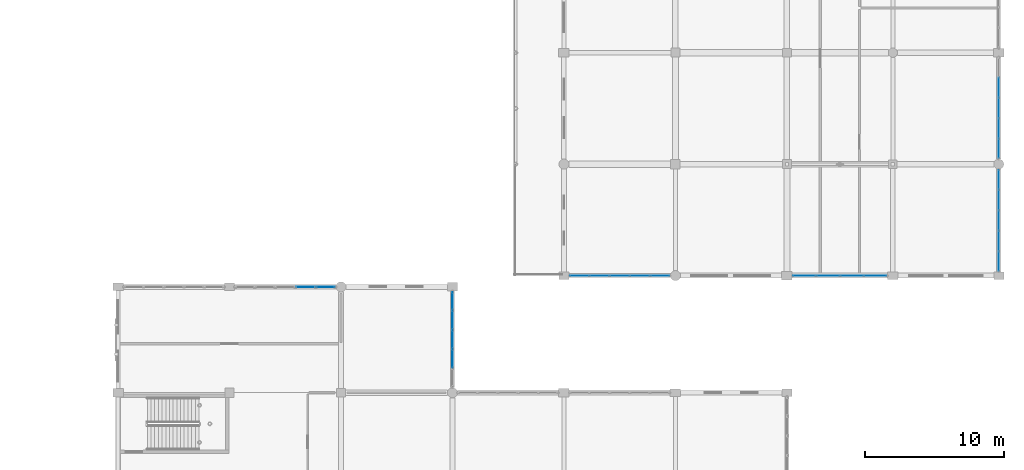
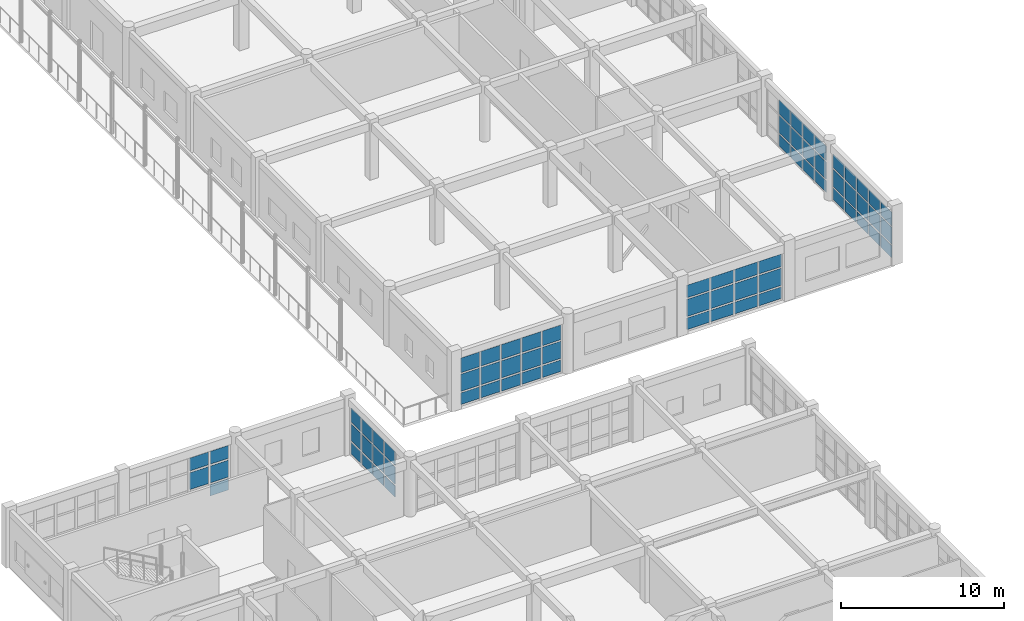
# One storey, part 118 of 160: 71 plates, 6 elements without a shape of their own.
"""IFC4 building model written with IfcOpenShell, lengths in metres."""

from ifc_helpers import new_model, si_unit, direction, frame, origin, origin_2d, place, context, subcontext, project, spatial, rectangle, extrude, material, layer, layer_set, type_object, element, aggregate, save


model = new_model("IFC4")

# Units and contexts
model_context = context("Model", 3, precision=1e-05, world=origin(), true_north=direction((0.0, 1.0)))
body_context = subcontext(model_context, "Body", "Model", "MODEL_VIEW")
ifc_project = project(units=[si_unit("LENGTHUNIT", "METRE"), si_unit("AREAUNIT", "SQUARE_METRE"), si_unit("VOLUMEUNIT", "CUBIC_METRE"), si_unit("PLANEANGLEUNIT", "RADIAN"), si_unit("MASSUNIT", "GRAM", prefix="KILO")], contexts=[model_context])

# Site, building, storey
site_placement = place(None, origin())
site = spatial("IfcSite", under=ifc_project, at=site_placement, CompositionType="ELEMENT")
building_placement = place(site_placement, origin())
building = spatial("IfcBuilding", under=site, at=building_placement, Name="Kharva Crest Polytechnic", CompositionType="ELEMENT")
storey_placement = place(building_placement, frame((0.0, 0.0, 4.5)))
storey = spatial("IfcBuildingStorey", under=building, at=storey_placement, Name="L01", CompositionType="ELEMENT", Elevation=4.5)

# Curtain wall, plates
ifc_material = material(Name="Tempered insulated glass", Category="glass")
curtain_wall_type_1 = type_object("IfcCurtainWallType", Name="CW-SYS-COURT", PredefinedType="USERDEFINED", material=ifc_material)
curtain_wall_1_placement = place(storey_placement, origin())
curtain_wall_1 = element("IfcCurtainWall", 1, at=curtain_wall_1_placement, inside=storey, type_object=curtain_wall_type_1, Name="L01 Glazed Curtain Wall CW-056", ObjectType="CURTAIN WALL", PredefinedType="USERDEFINED")
ifc_layer_1 = layer(ifc_material, 0.02392578125, Name="Tempered insulated glass")
ifc_layer_set_1 = layer_set([ifc_layer_1], Name="Tempered insulated glass")
plate_type_1 = type_object("IfcPlateType", Name="CWP-GLZ-24", PredefinedType="CURTAIN_PANEL", material=ifc_layer_set_1)
plate_1_placement = place(storey_placement, frame((153.912109375, 38.800048828125, 0.119873046875), z_axis=(0.0, 0.0, 1.0), x_axis=(1.0, 0.0, 0.0)))
plate_1 = element("IfcPlate", 2, at=plate_1_placement, type_object=plate_type_1, Name="CW-056 panel 1.1", PredefinedType="CURTAIN_PANEL", context=body_context, shape_type="SweptSolid", body=[
    extrude(rectangle(XDim=1.333984375, YDim=0.02392578125, at=origin_2d()), origin(), (0.0, 0.0, 1.0), 0.8701171875),
])
plate_2_placement = place(storey_placement, frame((153.912109375, 38.800048828125, 1.10986328125), z_axis=(0.0, 0.0, 1.0), x_axis=(1.0, 0.0, 0.0)))
plate_2 = element("IfcPlate", 3, at=plate_2_placement, type_object=plate_type_1, Name="CW-056 panel 1.2", PredefinedType="CURTAIN_PANEL", context=body_context, shape_type="SweptSolid", body=[
    extrude(rectangle(XDim=1.333984375, YDim=0.02392578125, at=origin_2d()), origin(), (0.0, 0.0, 1.0), 1.280029296875),
])
plate_3_placement = place(storey_placement, frame((153.912109375, 38.800048828125, 2.509765625), z_axis=(0.0, 0.0, 1.0), x_axis=(1.0, 0.0, 0.0)))
plate_3 = element("IfcPlate", 4, at=plate_3_placement, type_object=plate_type_1, Name="CW-056 panel 1.3", PredefinedType="CURTAIN_PANEL", context=body_context, shape_type="SweptSolid", body=[
    extrude(rectangle(XDim=1.333984375, YDim=0.02392578125, at=origin_2d()), origin(), (0.0, 0.0, 1.0), 1.090087890625),
])
plate_4_placement = place(storey_placement, frame((155.345947265625, 38.800048828125, 0.119873046875), z_axis=(0.0, 0.0, 1.0), x_axis=(1.0, 0.0, 0.0)))
plate_4 = element("IfcPlate", 5, at=plate_4_placement, type_object=plate_type_1, Name="CW-056 panel 2.1", PredefinedType="CURTAIN_PANEL", context=body_context, shape_type="SweptSolid", body=[
    extrude(rectangle(XDim=1.3740234375, YDim=0.02392578125, at=origin_2d()), origin(), (0.0, 0.0, 1.0), 0.8701171875),
])
plate_5_placement = place(storey_placement, frame((155.345947265625, 38.800048828125, 1.10986328125), z_axis=(0.0, 0.0, 1.0), x_axis=(1.0, 0.0, 0.0)))
plate_5 = element("IfcPlate", 6, at=plate_5_placement, type_object=plate_type_1, Name="CW-056 panel 2.2", PredefinedType="CURTAIN_PANEL", context=body_context, shape_type="SweptSolid", body=[
    extrude(rectangle(XDim=1.3740234375, YDim=0.02392578125, at=origin_2d()), origin(), (0.0, 0.0, 1.0), 1.280029296875),
])
plate_6_placement = place(storey_placement, frame((155.345947265625, 38.800048828125, 2.509765625), z_axis=(0.0, 0.0, 1.0), x_axis=(1.0, 0.0, 0.0)))
plate_6 = element("IfcPlate", 7, at=plate_6_placement, type_object=plate_type_1, Name="CW-056 panel 2.3", PredefinedType="CURTAIN_PANEL", context=body_context, shape_type="SweptSolid", body=[
    extrude(rectangle(XDim=1.3740234375, YDim=0.02392578125, at=origin_2d()), origin(), (0.0, 0.0, 1.0), 1.090087890625),
])
plate_7_placement = place(storey_placement, frame((156.800048828125, 38.800048828125, 0.119873046875), z_axis=(0.0, 0.0, 1.0), x_axis=(1.0, 0.0, 0.0)))
plate_7 = element("IfcPlate", 8, at=plate_7_placement, type_object=plate_type_1, Name="CW-056 panel 3.1", PredefinedType="CURTAIN_PANEL", context=body_context, shape_type="SweptSolid", body=[
    extrude(rectangle(XDim=1.3740234375, YDim=0.02392578125, at=origin_2d()), origin(), (0.0, 0.0, 1.0), 0.8701171875),
])
plate_8_placement = place(storey_placement, frame((156.800048828125, 38.800048828125, 1.10986328125), z_axis=(0.0, 0.0, 1.0), x_axis=(1.0, 0.0, 0.0)))
plate_8 = element("IfcPlate", 9, at=plate_8_placement, type_object=plate_type_1, Name="CW-056 panel 3.2", PredefinedType="CURTAIN_PANEL", context=body_context, shape_type="SweptSolid", body=[
    extrude(rectangle(XDim=1.3740234375, YDim=0.02392578125, at=origin_2d()), origin(), (0.0, 0.0, 1.0), 1.280029296875),
])
plate_9_placement = place(storey_placement, frame((156.800048828125, 38.800048828125, 2.509765625), z_axis=(0.0, 0.0, 1.0), x_axis=(1.0, 0.0, 0.0)))
plate_9 = element("IfcPlate", 10, at=plate_9_placement, type_object=plate_type_1, Name="CW-056 panel 3.3", PredefinedType="CURTAIN_PANEL", context=body_context, shape_type="SweptSolid", body=[
    extrude(rectangle(XDim=1.3740234375, YDim=0.02392578125, at=origin_2d()), origin(), (0.0, 0.0, 1.0), 1.090087890625),
])
plate_10_placement = place(storey_placement, frame((158.25390625, 38.800048828125, 0.119873046875), z_axis=(0.0, 0.0, 1.0), x_axis=(1.0, 0.0, 0.0)))
plate_10 = element("IfcPlate", 11, at=plate_10_placement, type_object=plate_type_1, Name="CW-056 panel 4.1", PredefinedType="CURTAIN_PANEL", context=body_context, shape_type="SweptSolid", body=[
    extrude(rectangle(XDim=1.3740234375, YDim=0.02392578125, at=origin_2d()), origin(), (0.0, 0.0, 1.0), 0.8701171875),
])
plate_11_placement = place(storey_placement, frame((158.25390625, 38.800048828125, 1.10986328125), z_axis=(0.0, 0.0, 1.0), x_axis=(1.0, 0.0, 0.0)))
plate_11 = element("IfcPlate", 12, at=plate_11_placement, type_object=plate_type_1, Name="CW-056 panel 4.2", PredefinedType="CURTAIN_PANEL", context=body_context, shape_type="SweptSolid", body=[
    extrude(rectangle(XDim=1.3740234375, YDim=0.02392578125, at=origin_2d()), origin(), (0.0, 0.0, 1.0), 1.280029296875),
])
plate_12_placement = place(storey_placement, frame((158.25390625, 38.800048828125, 2.509765625), z_axis=(0.0, 0.0, 1.0), x_axis=(1.0, 0.0, 0.0)))
plate_12 = element("IfcPlate", 13, at=plate_12_placement, type_object=plate_type_1, Name="CW-056 panel 4.3", PredefinedType="CURTAIN_PANEL", context=body_context, shape_type="SweptSolid", body=[
    extrude(rectangle(XDim=1.3740234375, YDim=0.02392578125, at=origin_2d()), origin(), (0.0, 0.0, 1.0), 1.090087890625),
])
plate_13_placement = place(storey_placement, frame((159.68798828125, 38.800048828125, 0.119873046875), z_axis=(0.0, 0.0, 1.0), x_axis=(1.0, 0.0, 0.0)))
plate_13 = element("IfcPlate", 14, at=plate_13_placement, type_object=plate_type_1, Name="CW-056 panel 5.1", PredefinedType="CURTAIN_PANEL", context=body_context, shape_type="SweptSolid", body=[
    extrude(rectangle(XDim=1.333984375, YDim=0.02392578125, at=origin_2d()), origin(), (0.0, 0.0, 1.0), 0.8701171875),
])
plate_14_placement = place(storey_placement, frame((159.68798828125, 38.800048828125, 1.10986328125), z_axis=(0.0, 0.0, 1.0), x_axis=(1.0, 0.0, 0.0)))
plate_14 = element("IfcPlate", 15, at=plate_14_placement, type_object=plate_type_1, Name="CW-056 panel 5.2", PredefinedType="CURTAIN_PANEL", context=body_context, shape_type="SweptSolid", body=[
    extrude(rectangle(XDim=1.333984375, YDim=0.02392578125, at=origin_2d()), origin(), (0.0, 0.0, 1.0), 1.280029296875),
])
plate_15_placement = place(storey_placement, frame((159.68798828125, 38.800048828125, 2.509765625), z_axis=(0.0, 0.0, 1.0), x_axis=(1.0, 0.0, 0.0)))
plate_15 = element("IfcPlate", 16, at=plate_15_placement, type_object=plate_type_1, Name="CW-056 panel 5.3", PredefinedType="CURTAIN_PANEL", context=body_context, shape_type="SweptSolid", body=[
    extrude(rectangle(XDim=1.333984375, YDim=0.02392578125, at=origin_2d()), origin(), (0.0, 0.0, 1.0), 1.090087890625),
])
aggregate(curtain_wall_1, [plate_1, plate_2, plate_3, plate_4, plate_5, plate_6, plate_7, plate_8, plate_9, plate_10, plate_11, plate_12, plate_13, plate_14, plate_15])

curtain_wall_2_placement = place(storey_placement, origin())
curtain_wall_2 = element("IfcCurtainWall", 17, at=curtain_wall_2_placement, inside=storey, type_object=curtain_wall_type_1, Name="L01 Glazed Curtain Wall CW-057", ObjectType="CURTAIN WALL", PredefinedType="USERDEFINED")
plate_16_placement = place(storey_placement, frame((170.054931640625, 38.800048828125, 0.119873046875), z_axis=(0.0, 0.0, 1.0), x_axis=(1.0, 0.0, 0.0)))
plate_16 = element("IfcPlate", 18, at=plate_16_placement, type_object=plate_type_1, Name="CW-057 panel 1.1", PredefinedType="CURTAIN_PANEL", context=body_context, shape_type="SweptSolid", body=[
    extrude(rectangle(XDim=1.590087890625, YDim=0.02392578125, at=origin_2d()), origin(), (0.0, 0.0, 1.0), 0.8701171875),
])
plate_17_placement = place(storey_placement, frame((170.054931640625, 38.800048828125, 1.10986328125), z_axis=(0.0, 0.0, 1.0), x_axis=(1.0, 0.0, 0.0)))
plate_17 = element("IfcPlate", 19, at=plate_17_placement, type_object=plate_type_1, Name="CW-057 panel 1.2", PredefinedType="CURTAIN_PANEL", context=body_context, shape_type="SweptSolid", body=[
    extrude(rectangle(XDim=1.590087890625, YDim=0.02392578125, at=origin_2d()), origin(), (0.0, 0.0, 1.0), 1.280029296875),
])
plate_18_placement = place(storey_placement, frame((170.054931640625, 38.800048828125, 2.510009765625), z_axis=(0.0, 0.0, 1.0), x_axis=(1.0, 0.0, 0.0)))
plate_18 = element("IfcPlate", 20, at=plate_18_placement, type_object=plate_type_1, Name="CW-057 panel 1.3", PredefinedType="CURTAIN_PANEL", context=body_context, shape_type="SweptSolid", body=[
    extrude(rectangle(XDim=1.590087890625, YDim=0.02392578125, at=origin_2d()), origin(), (0.0, 0.0, 1.0), 0.93994140625),
])
plate_19_placement = place(storey_placement, frame((171.7451171875, 38.800048828125, 0.119873046875), z_axis=(0.0, 0.0, 1.0), x_axis=(1.0, 0.0, 0.0)))
plate_19 = element("IfcPlate", 21, at=plate_19_placement, type_object=plate_type_1, Name="CW-057 panel 2.1", PredefinedType="CURTAIN_PANEL", context=body_context, shape_type="SweptSolid", body=[
    extrude(rectangle(XDim=1.6298828125, YDim=0.02392578125, at=origin_2d()), origin(), (0.0, 0.0, 1.0), 0.8701171875),
])
plate_20_placement = place(storey_placement, frame((171.7451171875, 38.800048828125, 1.10986328125), z_axis=(0.0, 0.0, 1.0), x_axis=(1.0, 0.0, 0.0)))
plate_20 = element("IfcPlate", 22, at=plate_20_placement, type_object=plate_type_1, Name="CW-057 panel 2.2", PredefinedType="CURTAIN_PANEL", context=body_context, shape_type="SweptSolid", body=[
    extrude(rectangle(XDim=1.6298828125, YDim=0.02392578125, at=origin_2d()), origin(), (0.0, 0.0, 1.0), 1.280029296875),
])
plate_21_placement = place(storey_placement, frame((171.7451171875, 38.800048828125, 2.510009765625), z_axis=(0.0, 0.0, 1.0), x_axis=(1.0, 0.0, 0.0)))
plate_21 = element("IfcPlate", 23, at=plate_21_placement, type_object=plate_type_1, Name="CW-057 panel 2.3", PredefinedType="CURTAIN_PANEL", context=body_context, shape_type="SweptSolid", body=[
    extrude(rectangle(XDim=1.6298828125, YDim=0.02392578125, at=origin_2d()), origin(), (0.0, 0.0, 1.0), 0.93994140625),
])
plate_22_placement = place(storey_placement, frame((173.455078125, 38.800048828125, 0.119873046875), z_axis=(0.0, 0.0, 1.0), x_axis=(1.0, 0.0, 0.0)))
plate_22 = element("IfcPlate", 24, at=plate_22_placement, type_object=plate_type_1, Name="CW-057 panel 3.1", PredefinedType="CURTAIN_PANEL", context=body_context, shape_type="SweptSolid", body=[
    extrude(rectangle(XDim=1.6298828125, YDim=0.02392578125, at=origin_2d()), origin(), (0.0, 0.0, 1.0), 0.8701171875),
])
plate_23_placement = place(storey_placement, frame((173.455078125, 38.800048828125, 1.10986328125), z_axis=(0.0, 0.0, 1.0), x_axis=(1.0, 0.0, 0.0)))
plate_23 = element("IfcPlate", 25, at=plate_23_placement, type_object=plate_type_1, Name="CW-057 panel 3.2", PredefinedType="CURTAIN_PANEL", context=body_context, shape_type="SweptSolid", body=[
    extrude(rectangle(XDim=1.6298828125, YDim=0.02392578125, at=origin_2d()), origin(), (0.0, 0.0, 1.0), 1.280029296875),
])
plate_24_placement = place(storey_placement, frame((173.455078125, 38.800048828125, 2.510009765625), z_axis=(0.0, 0.0, 1.0), x_axis=(1.0, 0.0, 0.0)))
plate_24 = element("IfcPlate", 26, at=plate_24_placement, type_object=plate_type_1, Name="CW-057 panel 3.3", PredefinedType="CURTAIN_PANEL", context=body_context, shape_type="SweptSolid", body=[
    extrude(rectangle(XDim=1.6298828125, YDim=0.02392578125, at=origin_2d()), origin(), (0.0, 0.0, 1.0), 0.93994140625),
])
plate_25_placement = place(storey_placement, frame((175.14501953125, 38.800048828125, 0.119873046875), z_axis=(0.0, 0.0, 1.0), x_axis=(1.0, 0.0, 0.0)))
plate_25 = element("IfcPlate", 27, at=plate_25_placement, type_object=plate_type_1, Name="CW-057 panel 4.1", PredefinedType="CURTAIN_PANEL", context=body_context, shape_type="SweptSolid", body=[
    extrude(rectangle(XDim=1.590087890625, YDim=0.02392578125, at=origin_2d()), origin(), (0.0, 0.0, 1.0), 0.8701171875),
])
plate_26_placement = place(storey_placement, frame((175.14501953125, 38.800048828125, 1.10986328125), z_axis=(0.0, 0.0, 1.0), x_axis=(1.0, 0.0, 0.0)))
plate_26 = element("IfcPlate", 28, at=plate_26_placement, type_object=plate_type_1, Name="CW-057 panel 4.2", PredefinedType="CURTAIN_PANEL", context=body_context, shape_type="SweptSolid", body=[
    extrude(rectangle(XDim=1.590087890625, YDim=0.02392578125, at=origin_2d()), origin(), (0.0, 0.0, 1.0), 1.280029296875),
])
plate_27_placement = place(storey_placement, frame((175.14501953125, 38.800048828125, 2.510009765625), z_axis=(0.0, 0.0, 1.0), x_axis=(1.0, 0.0, 0.0)))
plate_27 = element("IfcPlate", 29, at=plate_27_placement, type_object=plate_type_1, Name="CW-057 panel 4.3", PredefinedType="CURTAIN_PANEL", context=body_context, shape_type="SweptSolid", body=[
    extrude(rectangle(XDim=1.590087890625, YDim=0.02392578125, at=origin_2d()), origin(), (0.0, 0.0, 1.0), 0.93994140625),
])
aggregate(curtain_wall_2, [plate_16, plate_17, plate_18, plate_19, plate_20, plate_21, plate_22, plate_23, plate_24, plate_25, plate_26, plate_27])

curtain_wall_3_placement = place(storey_placement, origin())
curtain_wall_3 = element("IfcCurtainWall", 30, at=curtain_wall_3_placement, inside=storey, type_object=curtain_wall_type_1, Name="L01 Glazed Curtain Wall CW-058", ObjectType="CURTAIN WALL", PredefinedType="USERDEFINED")
plate_28_placement = place(storey_placement, frame((184.0, 39.83544921875, 0.119873046875), z_axis=(0.0, 0.0, 1.0), x_axis=(0.0, 1.0, 0.0)))
plate_28 = element("IfcPlate", 31, at=plate_28_placement, type_object=plate_type_1, Name="CW-058 panel 1.1", PredefinedType="CURTAIN_PANEL", context=body_context, shape_type="SweptSolid", body=[
    extrude(rectangle(XDim=1.35107421875, YDim=0.02392578125, at=origin_2d()), origin(), (0.0, 0.0, 1.0), 0.8701171875),
])
plate_29_placement = place(storey_placement, frame((184.0, 39.83544921875, 1.10986328125), z_axis=(0.0, 0.0, 1.0), x_axis=(0.0, 1.0, 0.0)))
plate_29 = element("IfcPlate", 32, at=plate_29_placement, type_object=plate_type_1, Name="CW-058 panel 1.2", PredefinedType="CURTAIN_PANEL", context=body_context, shape_type="SweptSolid", body=[
    extrude(rectangle(XDim=1.35107421875, YDim=0.02392578125, at=origin_2d()), origin(), (0.0, 0.0, 1.0), 1.280029296875),
])
plate_30_placement = place(storey_placement, frame((184.0, 39.83544921875, 2.509765625), z_axis=(0.0, 0.0, 1.0), x_axis=(0.0, 1.0, 0.0)))
plate_30 = element("IfcPlate", 33, at=plate_30_placement, type_object=plate_type_1, Name="CW-058 panel 1.3", PredefinedType="CURTAIN_PANEL", context=body_context, shape_type="SweptSolid", body=[
    extrude(rectangle(XDim=1.35107421875, YDim=0.02392578125, at=origin_2d()), origin(), (0.0, 0.0, 1.0), 1.010009765625),
])
plate_31_placement = place(storey_placement, frame((184.0, 41.28662109375, 0.119873046875), z_axis=(0.0, 0.0, 1.0), x_axis=(0.0, 1.0, 0.0)))
plate_31 = element("IfcPlate", 34, at=plate_31_placement, type_object=plate_type_1, Name="CW-058 panel 2.1", PredefinedType="CURTAIN_PANEL", context=body_context, shape_type="SweptSolid", body=[
    extrude(rectangle(XDim=1.39111328125, YDim=0.02392578125, at=origin_2d()), origin(), (0.0, 0.0, 1.0), 0.8701171875),
])
plate_32_placement = place(storey_placement, frame((184.0, 41.28662109375, 1.10986328125), z_axis=(0.0, 0.0, 1.0), x_axis=(0.0, 1.0, 0.0)))
plate_32 = element("IfcPlate", 35, at=plate_32_placement, type_object=plate_type_1, Name="CW-058 panel 2.2", PredefinedType="CURTAIN_PANEL", context=body_context, shape_type="SweptSolid", body=[
    extrude(rectangle(XDim=1.39111328125, YDim=0.02392578125, at=origin_2d()), origin(), (0.0, 0.0, 1.0), 1.280029296875),
])
plate_33_placement = place(storey_placement, frame((184.0, 41.28662109375, 2.509765625), z_axis=(0.0, 0.0, 1.0), x_axis=(0.0, 1.0, 0.0)))
plate_33 = element("IfcPlate", 36, at=plate_33_placement, type_object=plate_type_1, Name="CW-058 panel 2.3", PredefinedType="CURTAIN_PANEL", context=body_context, shape_type="SweptSolid", body=[
    extrude(rectangle(XDim=1.39111328125, YDim=0.02392578125, at=origin_2d()), origin(), (0.0, 0.0, 1.0), 1.010009765625),
])
plate_34_placement = place(storey_placement, frame((184.0, 42.757568359375, 0.119873046875), z_axis=(0.0, 0.0, 1.0), x_axis=(0.0, 1.0, 0.0)))
plate_34 = element("IfcPlate", 37, at=plate_34_placement, type_object=plate_type_1, Name="CW-058 panel 3.1", PredefinedType="CURTAIN_PANEL", context=body_context, shape_type="SweptSolid", body=[
    extrude(rectangle(XDim=1.39111328125, YDim=0.02392578125, at=origin_2d()), origin(), (0.0, 0.0, 1.0), 0.8701171875),
])
plate_35_placement = place(storey_placement, frame((184.0, 42.757568359375, 1.10986328125), z_axis=(0.0, 0.0, 1.0), x_axis=(0.0, 1.0, 0.0)))
plate_35 = element("IfcPlate", 38, at=plate_35_placement, type_object=plate_type_1, Name="CW-058 panel 3.2", PredefinedType="CURTAIN_PANEL", context=body_context, shape_type="SweptSolid", body=[
    extrude(rectangle(XDim=1.39111328125, YDim=0.02392578125, at=origin_2d()), origin(), (0.0, 0.0, 1.0), 1.280029296875),
])
plate_36_placement = place(storey_placement, frame((184.0, 42.757568359375, 2.509765625), z_axis=(0.0, 0.0, 1.0), x_axis=(0.0, 1.0, 0.0)))
plate_36 = element("IfcPlate", 39, at=plate_36_placement, type_object=plate_type_1, Name="CW-058 panel 3.3", PredefinedType="CURTAIN_PANEL", context=body_context, shape_type="SweptSolid", body=[
    extrude(rectangle(XDim=1.39111328125, YDim=0.02392578125, at=origin_2d()), origin(), (0.0, 0.0, 1.0), 1.010009765625),
])
plate_37_placement = place(storey_placement, frame((184.0, 44.228515625, 0.119873046875), z_axis=(0.0, 0.0, 1.0), x_axis=(0.0, 1.0, 0.0)))
plate_37 = element("IfcPlate", 40, at=plate_37_placement, type_object=plate_type_1, Name="CW-058 panel 4.1", PredefinedType="CURTAIN_PANEL", context=body_context, shape_type="SweptSolid", body=[
    extrude(rectangle(XDim=1.39111328125, YDim=0.02392578125, at=origin_2d()), origin(), (0.0, 0.0, 1.0), 0.8701171875),
])
plate_38_placement = place(storey_placement, frame((184.0, 44.228515625, 1.10986328125), z_axis=(0.0, 0.0, 1.0), x_axis=(0.0, 1.0, 0.0)))
plate_38 = element("IfcPlate", 41, at=plate_38_placement, type_object=plate_type_1, Name="CW-058 panel 4.2", PredefinedType="CURTAIN_PANEL", context=body_context, shape_type="SweptSolid", body=[
    extrude(rectangle(XDim=1.39111328125, YDim=0.02392578125, at=origin_2d()), origin(), (0.0, 0.0, 1.0), 1.280029296875),
])
plate_39_placement = place(storey_placement, frame((184.0, 44.228515625, 2.509765625), z_axis=(0.0, 0.0, 1.0), x_axis=(0.0, 1.0, 0.0)))
plate_39 = element("IfcPlate", 42, at=plate_39_placement, type_object=plate_type_1, Name="CW-058 panel 4.3", PredefinedType="CURTAIN_PANEL", context=body_context, shape_type="SweptSolid", body=[
    extrude(rectangle(XDim=1.39111328125, YDim=0.02392578125, at=origin_2d()), origin(), (0.0, 0.0, 1.0), 1.010009765625),
])
plate_40_placement = place(storey_placement, frame((184.0, 45.679443359375, 0.119873046875), z_axis=(0.0, 0.0, 1.0), x_axis=(0.0, 1.0, 0.0)))
plate_40 = element("IfcPlate", 43, at=plate_40_placement, type_object=plate_type_1, Name="CW-058 panel 5.1", PredefinedType="CURTAIN_PANEL", context=body_context, shape_type="SweptSolid", body=[
    extrude(rectangle(XDim=1.35107421875, YDim=0.02392578125, at=origin_2d()), origin(), (0.0, 0.0, 1.0), 0.8701171875),
])
plate_41_placement = place(storey_placement, frame((184.0, 45.679443359375, 1.10986328125), z_axis=(0.0, 0.0, 1.0), x_axis=(0.0, 1.0, 0.0)))
plate_41 = element("IfcPlate", 44, at=plate_41_placement, type_object=plate_type_1, Name="CW-058 panel 5.2", PredefinedType="CURTAIN_PANEL", context=body_context, shape_type="SweptSolid", body=[
    extrude(rectangle(XDim=1.35107421875, YDim=0.02392578125, at=origin_2d()), origin(), (0.0, 0.0, 1.0), 1.280029296875),
])
plate_42_placement = place(storey_placement, frame((184.0, 45.679443359375, 2.509765625), z_axis=(0.0, 0.0, 1.0), x_axis=(0.0, 1.0, 0.0)))
plate_42 = element("IfcPlate", 45, at=plate_42_placement, type_object=plate_type_1, Name="CW-058 panel 5.3", PredefinedType="CURTAIN_PANEL", context=body_context, shape_type="SweptSolid", body=[
    extrude(rectangle(XDim=1.35107421875, YDim=0.02392578125, at=origin_2d()), origin(), (0.0, 0.0, 1.0), 1.010009765625),
])
aggregate(curtain_wall_3, [plate_28, plate_29, plate_30, plate_31, plate_32, plate_33, plate_34, plate_35, plate_36, plate_37, plate_38, plate_39, plate_40, plate_41, plate_42])

curtain_wall_4_placement = place(storey_placement, origin())
curtain_wall_4 = element("IfcCurtainWall", 46, at=curtain_wall_4_placement, inside=storey, type_object=curtain_wall_type_1, Name="L01 Glazed Curtain Wall CW-059", ObjectType="CURTAIN WALL", PredefinedType="USERDEFINED")
plate_43_placement = place(storey_placement, frame((184.0, 47.91796875, 0.119873046875), z_axis=(0.0, 0.0, 1.0), x_axis=(0.0, 1.0, 0.0)))
plate_43 = element("IfcPlate", 47, at=plate_43_placement, type_object=plate_type_1, Name="CW-059 panel 1.1", PredefinedType="CURTAIN_PANEL", context=body_context, shape_type="SweptSolid", body=[
    extrude(rectangle(XDim=1.345947265625, YDim=0.02392578125, at=origin_2d()), origin(), (0.0, 0.0, 1.0), 0.8701171875),
])
plate_44_placement = place(storey_placement, frame((184.0, 47.91796875, 1.10986328125), z_axis=(0.0, 0.0, 1.0), x_axis=(0.0, 1.0, 0.0)))
plate_44 = element("IfcPlate", 48, at=plate_44_placement, type_object=plate_type_1, Name="CW-059 panel 1.2", PredefinedType="CURTAIN_PANEL", context=body_context, shape_type="SweptSolid", body=[
    extrude(rectangle(XDim=1.345947265625, YDim=0.02392578125, at=origin_2d()), origin(), (0.0, 0.0, 1.0), 1.280029296875),
])
plate_45_placement = place(storey_placement, frame((184.0, 47.91796875, 2.509765625), z_axis=(0.0, 0.0, 1.0), x_axis=(0.0, 1.0, 0.0)))
plate_45 = element("IfcPlate", 49, at=plate_45_placement, type_object=plate_type_1, Name="CW-059 panel 1.3", PredefinedType="CURTAIN_PANEL", context=body_context, shape_type="SweptSolid", body=[
    extrude(rectangle(XDim=1.345947265625, YDim=0.02392578125, at=origin_2d()), origin(), (0.0, 0.0, 1.0), 1.070068359375),
])
plate_46_placement = place(storey_placement, frame((184.0, 49.364013671875, 0.119873046875), z_axis=(0.0, 0.0, 1.0), x_axis=(0.0, 1.0, 0.0)))
plate_46 = element("IfcPlate", 50, at=plate_46_placement, type_object=plate_type_1, Name="CW-059 panel 2.1", PredefinedType="CURTAIN_PANEL", context=body_context, shape_type="SweptSolid", body=[
    extrude(rectangle(XDim=1.385986328125, YDim=0.02392578125, at=origin_2d()), origin(), (0.0, 0.0, 1.0), 0.8701171875),
])
plate_47_placement = place(storey_placement, frame((184.0, 49.364013671875, 1.10986328125), z_axis=(0.0, 0.0, 1.0), x_axis=(0.0, 1.0, 0.0)))
plate_47 = element("IfcPlate", 51, at=plate_47_placement, type_object=plate_type_1, Name="CW-059 panel 2.2", PredefinedType="CURTAIN_PANEL", context=body_context, shape_type="SweptSolid", body=[
    extrude(rectangle(XDim=1.385986328125, YDim=0.02392578125, at=origin_2d()), origin(), (0.0, 0.0, 1.0), 1.280029296875),
])
plate_48_placement = place(storey_placement, frame((184.0, 49.364013671875, 2.509765625), z_axis=(0.0, 0.0, 1.0), x_axis=(0.0, 1.0, 0.0)))
plate_48 = element("IfcPlate", 52, at=plate_48_placement, type_object=plate_type_1, Name="CW-059 panel 2.3", PredefinedType="CURTAIN_PANEL", context=body_context, shape_type="SweptSolid", body=[
    extrude(rectangle(XDim=1.385986328125, YDim=0.02392578125, at=origin_2d()), origin(), (0.0, 0.0, 1.0), 1.070068359375),
])
plate_49_placement = place(storey_placement, frame((184.0, 50.830078125, 0.119873046875), z_axis=(0.0, 0.0, 1.0), x_axis=(0.0, 1.0, 0.0)))
plate_49 = element("IfcPlate", 53, at=plate_49_placement, type_object=plate_type_1, Name="CW-059 panel 3.1", PredefinedType="CURTAIN_PANEL", context=body_context, shape_type="SweptSolid", body=[
    extrude(rectangle(XDim=1.385986328125, YDim=0.02392578125, at=origin_2d()), origin(), (0.0, 0.0, 1.0), 0.8701171875),
])
plate_50_placement = place(storey_placement, frame((184.0, 50.830078125, 1.10986328125), z_axis=(0.0, 0.0, 1.0), x_axis=(0.0, 1.0, 0.0)))
plate_50 = element("IfcPlate", 54, at=plate_50_placement, type_object=plate_type_1, Name="CW-059 panel 3.2", PredefinedType="CURTAIN_PANEL", context=body_context, shape_type="SweptSolid", body=[
    extrude(rectangle(XDim=1.385986328125, YDim=0.02392578125, at=origin_2d()), origin(), (0.0, 0.0, 1.0), 1.280029296875),
])
plate_51_placement = place(storey_placement, frame((184.0, 50.830078125, 2.509765625), z_axis=(0.0, 0.0, 1.0), x_axis=(0.0, 1.0, 0.0)))
plate_51 = element("IfcPlate", 55, at=plate_51_placement, type_object=plate_type_1, Name="CW-059 panel 3.3", PredefinedType="CURTAIN_PANEL", context=body_context, shape_type="SweptSolid", body=[
    extrude(rectangle(XDim=1.385986328125, YDim=0.02392578125, at=origin_2d()), origin(), (0.0, 0.0, 1.0), 1.070068359375),
])
plate_52_placement = place(storey_placement, frame((184.0, 52.2958984375, 0.119873046875), z_axis=(0.0, 0.0, 1.0), x_axis=(0.0, 1.0, 0.0)))
plate_52 = element("IfcPlate", 56, at=plate_52_placement, type_object=plate_type_1, Name="CW-059 panel 4.1", PredefinedType="CURTAIN_PANEL", context=body_context, shape_type="SweptSolid", body=[
    extrude(rectangle(XDim=1.385986328125, YDim=0.02392578125, at=origin_2d()), origin(), (0.0, 0.0, 1.0), 0.8701171875),
])
plate_53_placement = place(storey_placement, frame((184.0, 52.2958984375, 1.10986328125), z_axis=(0.0, 0.0, 1.0), x_axis=(0.0, 1.0, 0.0)))
plate_53 = element("IfcPlate", 57, at=plate_53_placement, type_object=plate_type_1, Name="CW-059 panel 4.2", PredefinedType="CURTAIN_PANEL", context=body_context, shape_type="SweptSolid", body=[
    extrude(rectangle(XDim=1.385986328125, YDim=0.02392578125, at=origin_2d()), origin(), (0.0, 0.0, 1.0), 1.280029296875),
])
plate_54_placement = place(storey_placement, frame((184.0, 52.2958984375, 2.509765625), z_axis=(0.0, 0.0, 1.0), x_axis=(0.0, 1.0, 0.0)))
plate_54 = element("IfcPlate", 58, at=plate_54_placement, type_object=plate_type_1, Name="CW-059 panel 4.3", PredefinedType="CURTAIN_PANEL", context=body_context, shape_type="SweptSolid", body=[
    extrude(rectangle(XDim=1.385986328125, YDim=0.02392578125, at=origin_2d()), origin(), (0.0, 0.0, 1.0), 1.070068359375),
])
aggregate(curtain_wall_4, [plate_43, plate_44, plate_45, plate_46, plate_47, plate_48, plate_49, plate_50, plate_51, plate_52, plate_53, plate_54])

curtain_wall_type_2 = type_object("IfcCurtainWallType", Name="CW-SYS-REFECTORY", PredefinedType="USERDEFINED", material=ifc_material)
curtain_wall_5_placement = place(storey_placement, origin())
curtain_wall_5 = element("IfcCurtainWall", 59, at=curtain_wall_5_placement, inside=storey, type_object=curtain_wall_type_2, Name="L01 Glazed Curtain Wall CW-041", ObjectType="CURTAIN WALL", PredefinedType="USERDEFINED")
ifc_layer_2 = layer(ifc_material, 0.030029296875, Name="Tempered insulated glass")
ifc_layer_set_2 = layer_set([ifc_layer_2], Name="Tempered insulated glass")
plate_type_2 = type_object("IfcPlateType", Name="CWP-GLZ-30", PredefinedType="CURTAIN_PANEL", material=ifc_layer_set_2)
plate_55_placement = place(storey_placement, frame((144.800048828125, 32.843994140625, 0.14013671875), z_axis=(0.0, 0.0, 1.0), x_axis=(0.0, 1.0, 0.0)))
plate_55 = element("IfcPlate", 60, at=plate_55_placement, type_object=plate_type_2, Name="CW-041 panel 2.1", PredefinedType="CURTAIN_PANEL", context=body_context, shape_type="SweptSolid", body=[
    extrude(rectangle(XDim=1.285888671875, YDim=0.030029296875, at=origin_2d()), origin(), (0.0, 0.0, 1.0), 0.840087890625),
])
plate_56_placement = place(storey_placement, frame((144.800048828125, 32.843994140625, 1.1201171875), z_axis=(0.0, 0.0, 1.0), x_axis=(0.0, 1.0, 0.0)))
plate_56 = element("IfcPlate", 61, at=plate_56_placement, type_object=plate_type_2, Name="CW-041 panel 2.2", PredefinedType="CURTAIN_PANEL", context=body_context, shape_type="SweptSolid", body=[
    extrude(rectangle(XDim=1.285888671875, YDim=0.030029296875, at=origin_2d()), origin(), (0.0, 0.0, 1.0), 1.260009765625),
])
plate_57_placement = place(storey_placement, frame((144.800048828125, 32.843994140625, 2.52001953125), z_axis=(0.0, 0.0, 1.0), x_axis=(0.0, 1.0, 0.0)))
plate_57 = element("IfcPlate", 62, at=plate_57_placement, type_object=plate_type_2, Name="CW-041 panel 2.3", PredefinedType="CURTAIN_PANEL", context=body_context, shape_type="SweptSolid", body=[
    extrude(rectangle(XDim=1.285888671875, YDim=0.030029296875, at=origin_2d()), origin(), (0.0, 0.0, 1.0), 1.0400390625),
])
plate_58_placement = place(storey_placement, frame((144.800048828125, 34.22998046875, 0.14013671875), z_axis=(0.0, 0.0, 1.0), x_axis=(0.0, 1.0, 0.0)))
plate_58 = element("IfcPlate", 63, at=plate_58_placement, type_object=plate_type_2, Name="CW-041 panel 3.1", PredefinedType="CURTAIN_PANEL", context=body_context, shape_type="SweptSolid", body=[
    extrude(rectangle(XDim=1.285888671875, YDim=0.030029296875, at=origin_2d()), origin(), (0.0, 0.0, 1.0), 0.840087890625),
])
plate_59_placement = place(storey_placement, frame((144.800048828125, 34.22998046875, 1.1201171875), z_axis=(0.0, 0.0, 1.0), x_axis=(0.0, 1.0, 0.0)))
plate_59 = element("IfcPlate", 64, at=plate_59_placement, type_object=plate_type_2, Name="CW-041 panel 3.2", PredefinedType="CURTAIN_PANEL", context=body_context, shape_type="SweptSolid", body=[
    extrude(rectangle(XDim=1.285888671875, YDim=0.030029296875, at=origin_2d()), origin(), (0.0, 0.0, 1.0), 1.260009765625),
])
plate_60_placement = place(storey_placement, frame((144.800048828125, 34.22998046875, 2.52001953125), z_axis=(0.0, 0.0, 1.0), x_axis=(0.0, 1.0, 0.0)))
plate_60 = element("IfcPlate", 65, at=plate_60_placement, type_object=plate_type_2, Name="CW-041 panel 3.3", PredefinedType="CURTAIN_PANEL", context=body_context, shape_type="SweptSolid", body=[
    extrude(rectangle(XDim=1.285888671875, YDim=0.030029296875, at=origin_2d()), origin(), (0.0, 0.0, 1.0), 1.0400390625),
])
plate_61_placement = place(storey_placement, frame((144.800048828125, 35.615966796875, 0.14013671875), z_axis=(0.0, 0.0, 1.0), x_axis=(0.0, 1.0, 0.0)))
plate_61 = element("IfcPlate", 66, at=plate_61_placement, type_object=plate_type_2, Name="CW-041 panel 4.1", PredefinedType="CURTAIN_PANEL", context=body_context, shape_type="SweptSolid", body=[
    extrude(rectangle(XDim=1.285888671875, YDim=0.030029296875, at=origin_2d()), origin(), (0.0, 0.0, 1.0), 0.840087890625),
])
plate_62_placement = place(storey_placement, frame((144.800048828125, 35.615966796875, 1.1201171875), z_axis=(0.0, 0.0, 1.0), x_axis=(0.0, 1.0, 0.0)))
plate_62 = element("IfcPlate", 67, at=plate_62_placement, type_object=plate_type_2, Name="CW-041 panel 4.2", PredefinedType="CURTAIN_PANEL", context=body_context, shape_type="SweptSolid", body=[
    extrude(rectangle(XDim=1.285888671875, YDim=0.030029296875, at=origin_2d()), origin(), (0.0, 0.0, 1.0), 1.260009765625),
])
plate_63_placement = place(storey_placement, frame((144.800048828125, 35.615966796875, 2.52001953125), z_axis=(0.0, 0.0, 1.0), x_axis=(0.0, 1.0, 0.0)))
plate_63 = element("IfcPlate", 68, at=plate_63_placement, type_object=plate_type_2, Name="CW-041 panel 4.3", PredefinedType="CURTAIN_PANEL", context=body_context, shape_type="SweptSolid", body=[
    extrude(rectangle(XDim=1.285888671875, YDim=0.030029296875, at=origin_2d()), origin(), (0.0, 0.0, 1.0), 1.0400390625),
])
plate_64_placement = place(storey_placement, frame((144.800048828125, 36.97705078125, 0.14013671875), z_axis=(0.0, 0.0, 1.0), x_axis=(0.0, 1.0, 0.0)))
plate_64 = element("IfcPlate", 69, at=plate_64_placement, type_object=plate_type_2, Name="CW-041 panel 5.1", PredefinedType="CURTAIN_PANEL", context=body_context, shape_type="SweptSolid", body=[
    extrude(rectangle(XDim=1.236083984375, YDim=0.030029296875, at=origin_2d()), origin(), (0.0, 0.0, 1.0), 0.840087890625),
])
plate_65_placement = place(storey_placement, frame((144.800048828125, 36.97705078125, 1.1201171875), z_axis=(0.0, 0.0, 1.0), x_axis=(0.0, 1.0, 0.0)))
plate_65 = element("IfcPlate", 70, at=plate_65_placement, type_object=plate_type_2, Name="CW-041 panel 5.2", PredefinedType="CURTAIN_PANEL", context=body_context, shape_type="SweptSolid", body=[
    extrude(rectangle(XDim=1.236083984375, YDim=0.030029296875, at=origin_2d()), origin(), (0.0, 0.0, 1.0), 1.260009765625),
])
plate_66_placement = place(storey_placement, frame((144.800048828125, 36.97705078125, 2.52001953125), z_axis=(0.0, 0.0, 1.0), x_axis=(0.0, 1.0, 0.0)))
plate_66 = element("IfcPlate", 71, at=plate_66_placement, type_object=plate_type_2, Name="CW-041 panel 5.3", PredefinedType="CURTAIN_PANEL", context=body_context, shape_type="SweptSolid", body=[
    extrude(rectangle(XDim=1.236083984375, YDim=0.030029296875, at=origin_2d()), origin(), (0.0, 0.0, 1.0), 1.0400390625),
])
aggregate(curtain_wall_5, [plate_55, plate_56, plate_57, plate_58, plate_59, plate_60, plate_61, plate_62, plate_63, plate_64, plate_65, plate_66])

curtain_wall_6_placement = place(storey_placement, origin())
curtain_wall_6 = element("IfcCurtainWall", 72, at=curtain_wall_6_placement, inside=storey, type_object=curtain_wall_type_2, Name="L01 Glazed Curtain Wall CW-042", ObjectType="CURTAIN WALL", PredefinedType="USERDEFINED")
plate_67_placement = place(storey_placement, frame((135.68310546875, 38.0, 0.14013671875), z_axis=(0.0, 0.0, 1.0), x_axis=(-1.0, 0.0, 0.0)))
plate_67 = element("IfcPlate", 73, at=plate_67_placement, type_object=plate_type_2, Name="CW-042 panel 1.1", PredefinedType="CURTAIN_PANEL", context=body_context, shape_type="SweptSolid", body=[
    extrude(rectangle(XDim=1.303955078125, YDim=0.030029296875, at=origin_2d()), origin(), (0.0, 0.0, 1.0), 0.840087890625),
])
plate_68_placement = place(storey_placement, frame((135.68310546875, 38.0, 1.1201171875), z_axis=(0.0, 0.0, 1.0), x_axis=(-1.0, 0.0, 0.0)))
plate_68 = element("IfcPlate", 74, at=plate_68_placement, type_object=plate_type_2, Name="CW-042 panel 1.2", PredefinedType="CURTAIN_PANEL", context=body_context, shape_type="SweptSolid", body=[
    extrude(rectangle(XDim=1.303955078125, YDim=0.030029296875, at=origin_2d()), origin(), (0.0, 0.0, 1.0), 1.260009765625),
])
plate_69_placement = place(storey_placement, frame((135.68310546875, 38.0, 2.52001953125), z_axis=(0.0, 0.0, 1.0), x_axis=(-1.0, 0.0, 0.0)))
plate_69 = element("IfcPlate", 75, at=plate_69_placement, type_object=plate_type_2, Name="CW-042 panel 1.3", PredefinedType="CURTAIN_PANEL", context=body_context, shape_type="SweptSolid", body=[
    extrude(rectangle(XDim=1.303955078125, YDim=0.030029296875, at=origin_2d()), origin(), (0.0, 0.0, 1.0), 0.9599609375),
])
plate_70_placement = place(storey_placement, frame((134.25390625, 38.0, 1.1201171875), z_axis=(0.0, 0.0, 1.0), x_axis=(-1.0, 0.0, 0.0)))
plate_70 = element("IfcPlate", 76, at=plate_70_placement, type_object=plate_type_2, Name="CW-042 panel 2.2", PredefinedType="CURTAIN_PANEL", context=body_context, shape_type="SweptSolid", body=[
    extrude(rectangle(XDim=1.35400390625, YDim=0.030029296875, at=origin_2d()), origin(), (0.0, 0.0, 1.0), 1.260009765625),
])
plate_71_placement = place(storey_placement, frame((134.25390625, 38.0, 2.52001953125), z_axis=(0.0, 0.0, 1.0), x_axis=(-1.0, 0.0, 0.0)))
plate_71 = element("IfcPlate", 77, at=plate_71_placement, type_object=plate_type_2, Name="CW-042 panel 2.3", PredefinedType="CURTAIN_PANEL", context=body_context, shape_type="SweptSolid", body=[
    extrude(rectangle(XDim=1.35400390625, YDim=0.030029296875, at=origin_2d()), origin(), (0.0, 0.0, 1.0), 0.9599609375),
])
aggregate(curtain_wall_6, [plate_67, plate_68, plate_69, plate_70, plate_71])

save(model, "model.ifc")
